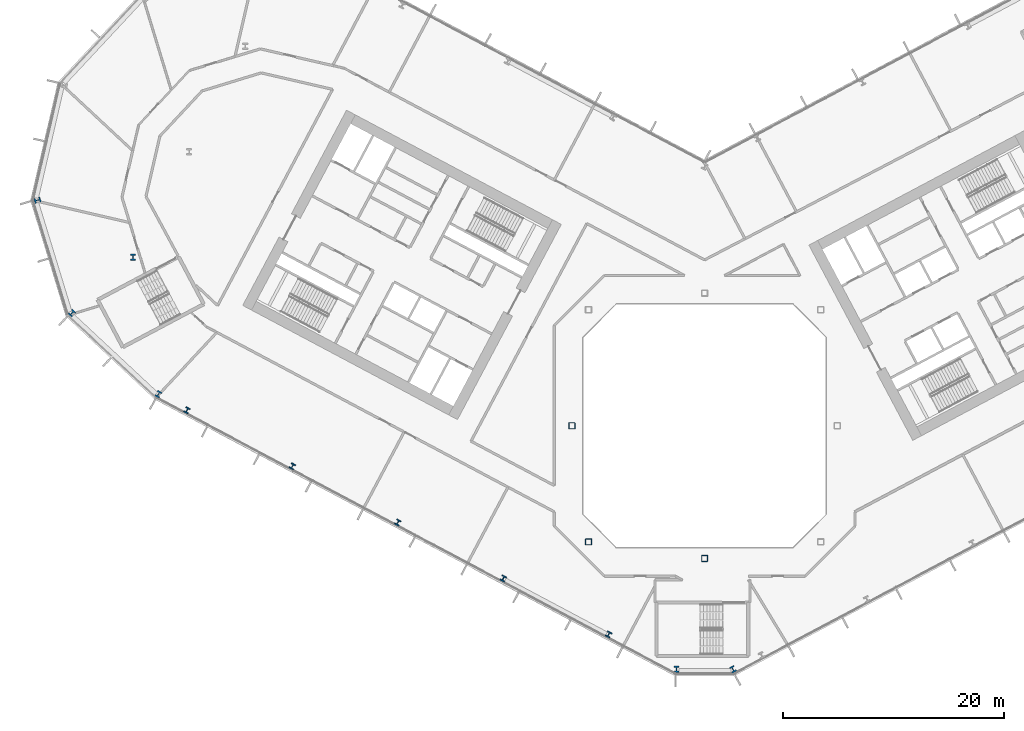
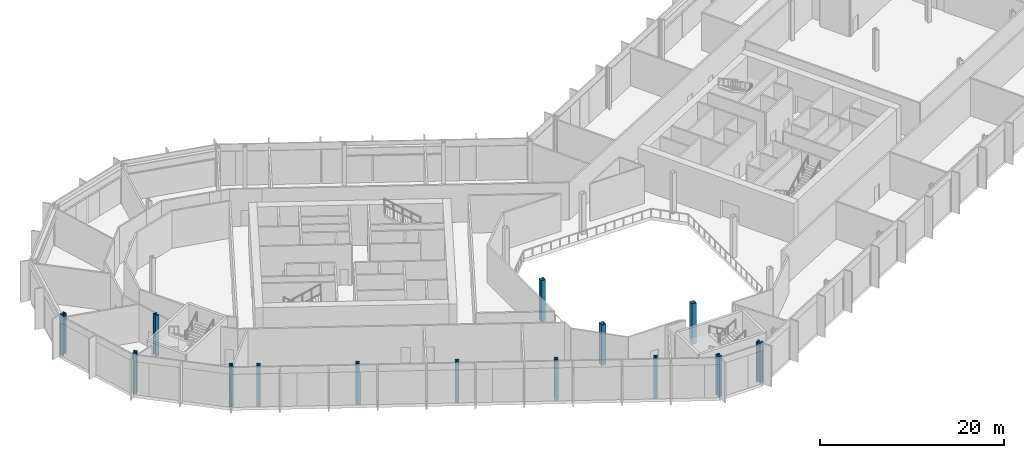
# One storey, part 1 of 32: 14 columns.
"""IFC4 building model written with IfcOpenShell, lengths in metres."""

from ifc_helpers import new_model, si_unit, direction, frame, origin, origin_2d, place, context, subcontext, project, spatial, hollow_rectangle, i_section, extrude, material, material_profile, profile_set, type_object, element, save


model = new_model("IFC4")

# Units and contexts
model_context = context("Model", 3, precision=1e-05, world=origin(), true_north=direction((0.0, 1.0)))
body_context = subcontext(model_context, "Body", "Model", "MODEL_VIEW")
ifc_project = project(units=[si_unit("LENGTHUNIT", "METRE"), si_unit("AREAUNIT", "SQUARE_METRE"), si_unit("VOLUMEUNIT", "CUBIC_METRE"), si_unit("PLANEANGLEUNIT", "RADIAN"), si_unit("MASSUNIT", "GRAM", prefix="KILO")], contexts=[model_context])

# Site, building, storey
site_placement = place(None, origin())
site = spatial("IfcSite", under=ifc_project, at=site_placement, CompositionType="ELEMENT")
building_placement = place(site_placement, origin())
building = spatial("IfcBuilding", under=site, at=building_placement, Name="Cormorant Relay Tower", CompositionType="ELEMENT")
storey_placement = place(building_placement, frame((0.0, 0.0, 17.60009765625)))
storey = spatial("IfcBuildingStorey", under=building, at=storey_placement, Name="L03", CompositionType="ELEMENT", Elevation=17.60009765625)

# Columns
ifc_material_1 = material(Name="Steel ASTM A1085 Grade A (Fy 345 MPa)", Category="steel")
ifc_material_profile_1 = material_profile(ifc_material_1, hollow_rectangle(XDim=0.558837890625, YDim=0.558837890625, WallThickness=0.023681640625, InnerFilletRadius=0.01171875, OuterFilletRadius=0.035400390625, at=origin_2d()), Name="HSS559x559x24")
ifc_profile_set_1 = profile_set([ifc_material_profile_1], Name="Steel ASTM A1085 Grade A (Fy 345 MPa)")
column_type_1 = type_object("IfcColumnType", Name="Column HSS559x559x24", PredefinedType="COLUMN", material=ifc_profile_set_1)
for number, where, z_axis, x_axis, name in (
    (1, (0.0, -12.0, 0.0), (0.0, 0.0, 1.0), (1.0, 0.0, 0.0), "Column L03-007"),
    (2, (-10.5, -10.5, 0.0), (0.0, 0.0, 1.0), (1.0, 0.0, 0.0), "Column L03-009"),
    (3, (-12.0, 0.0, 0.0), (0.0, 0.0, 1.0), (1.0, 0.0, 0.0), "Column L03-015"),
):
    element("IfcColumn", number, at=place(storey_placement, frame(where, z_axis=z_axis, x_axis=x_axis)), inside=storey, type_object=column_type_1, Name=name, PredefinedType="COLUMN", context=body_context, shape_type="SweptSolid", body=[
        extrude(hollow_rectangle(XDim=0.558837890625, YDim=0.558837890625, WallThickness=0.023681640625, InnerFilletRadius=0.01171875, OuterFilletRadius=0.035400390625, at=origin_2d()), origin(), (0.0, 0.0, 1.0), 5.39990234375),
    ])
ifc_material_2 = material(Name="Steel ASTM A992 (Fy 345 MPa)", Category="steel")
ifc_material_profile_2 = material_profile(ifc_material_2, i_section(OverallWidth=0.45458984375, OverallDepth=0.569091796875, WebThickness=0.077880859375, FlangeThickness=0.124755859375, FilletRadius=0.015380859375, at=origin_2d()), Name="W360x1086")
ifc_profile_set_2 = profile_set([ifc_material_profile_2], Name="Steel ASTM A992 (Fy 345 MPa)")
column_type_2 = type_object("IfcColumnType", Name="Column W360x1086", PredefinedType="COLUMN", material=ifc_profile_set_2)
for number, where, z_axis, x_axis, name in (
    (4, (-2.55908203125, -22.01708984375, 0.0), (0.0, 0.0, 1.0), (1.0, 0.0, 0.0), "Column L03-001"),
    (5, (2.55908203125, -22.01708984375, 0.0), (0.0, 0.0, 1.0), (0.882947592859, 0.469471562786, 0.0), "Column L03-002"),
    (6, (-49.39404296875, 2.861083984375, 0.0), (0.0, 0.0, 1.0), (0.882947592859, -0.469471562786, 0.0), "Column L03-018"),
    (7, (-57.218994140625, 10.198974609375, 0.0), (0.0, 0.0, 1.0), (0.731353701619, -0.681998360062, 0.0), "Column L03-021"),
    (8, (-51.68994140625, 15.251953125, 0.0), (0.0, 0.0, 1.0), (1.0, 0.0, 0.0), "Column L03-027"),
    (9, (-60.340087890625, 20.406982421875, 0.0), (0.0, 0.0, 1.0), (0.292371704723, -0.956304755963, 0.0), "Column L03-030"),
):
    element("IfcColumn", number, at=place(storey_placement, frame(where, z_axis=z_axis, x_axis=x_axis)), inside=storey, type_object=column_type_2, Name=name, PredefinedType="COLUMN", context=body_context, shape_type="SweptSolid", body=[
        extrude(i_section(OverallWidth=0.45458984375, OverallDepth=0.569091796875, WebThickness=0.077880859375, FlangeThickness=0.124755859375, FilletRadius=0.015380859375, at=origin_2d()), origin(), (0.0, 0.0, 1.0), 5.39990234375),
    ])
ifc_material_3 = material(Name="Steel ASTM A992 (Fy 345 MPa)", Category="steel")
ifc_material_profile_3 = material_profile(ifc_material_3, i_section(OverallWidth=0.43701171875, OverallDepth=0.51318359375, WebThickness=0.060546875, FlangeThickness=0.096923828125, FilletRadius=0.015380859375, at=origin_2d()), Name="W360x818")
ifc_profile_set_3 = profile_set([ifc_material_profile_3], Name="Steel ASTM A992 (Fy 345 MPa)")
column_type_3 = type_object("IfcColumnType", Name="Column W360x818", PredefinedType="COLUMN", material=ifc_profile_set_3)
for number, where, z_axis, x_axis, name in (
    (10, (-8.677001953125, -18.8759765625, 0.0), (0.0, 0.0, 1.0), (0.882947592859, -0.469471562786, 0.0), "Column L03-004"),
    (11, (-18.212890625, -13.804931640625, 0.0), (0.0, 0.0, 1.0), (0.882947592859, -0.469471562786, 0.0), "Column L03-006"),
    (12, (-27.7490234375, -8.735107421875, 0.0), (0.0, 0.0, 1.0), (0.882947592859, -0.469471562786, 0.0), "Column L03-011"),
    (13, (-37.284912109375, -3.6650390625, 0.0), (0.0, 0.0, 1.0), (0.882947592859, -0.469471562786, 0.0), "Column L03-013"),
    (14, (-46.821044921875, 1.405029296875, 0.0), (0.0, 0.0, 1.0), (0.882947592859, -0.469471562786, 0.0), "Column L03-017"),
):
    element("IfcColumn", number, at=place(storey_placement, frame(where, z_axis=z_axis, x_axis=x_axis)), inside=storey, type_object=column_type_3, Name=name, PredefinedType="COLUMN", context=body_context, shape_type="SweptSolid", body=[
        extrude(i_section(OverallWidth=0.43701171875, OverallDepth=0.51318359375, WebThickness=0.060546875, FlangeThickness=0.096923828125, FilletRadius=0.015380859375, at=origin_2d()), origin(), (0.0, 0.0, 1.0), 5.39990234375),
    ])

save(model, "model.ifc")
